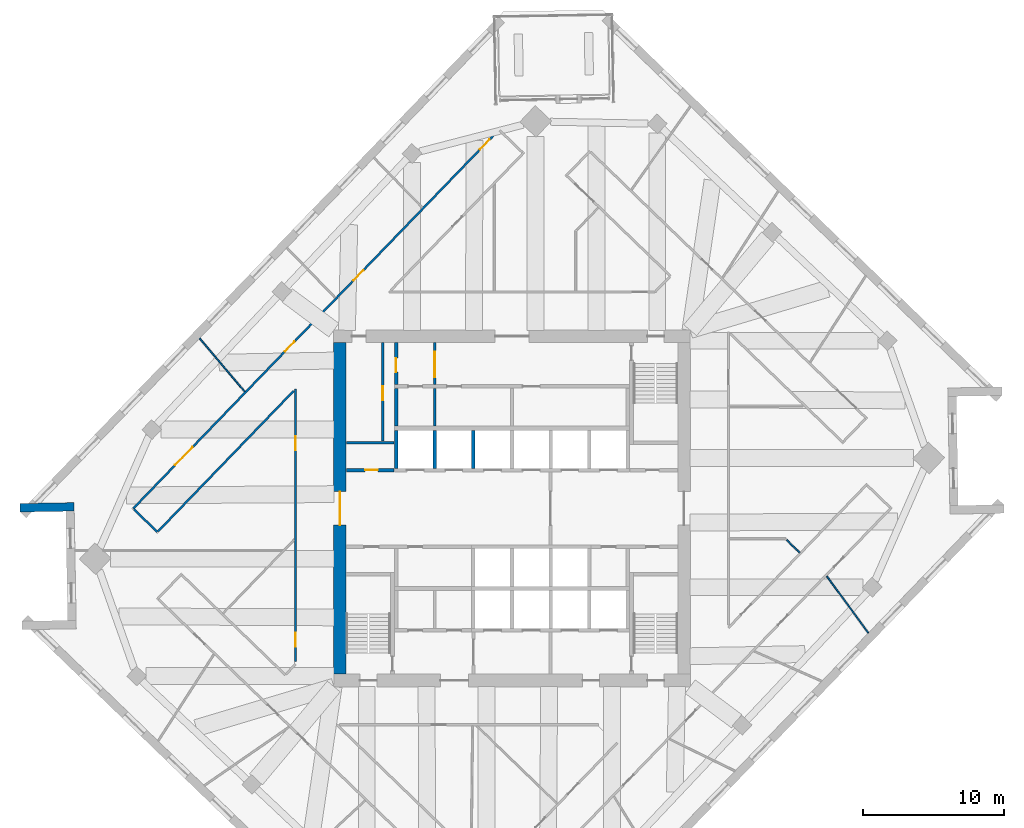
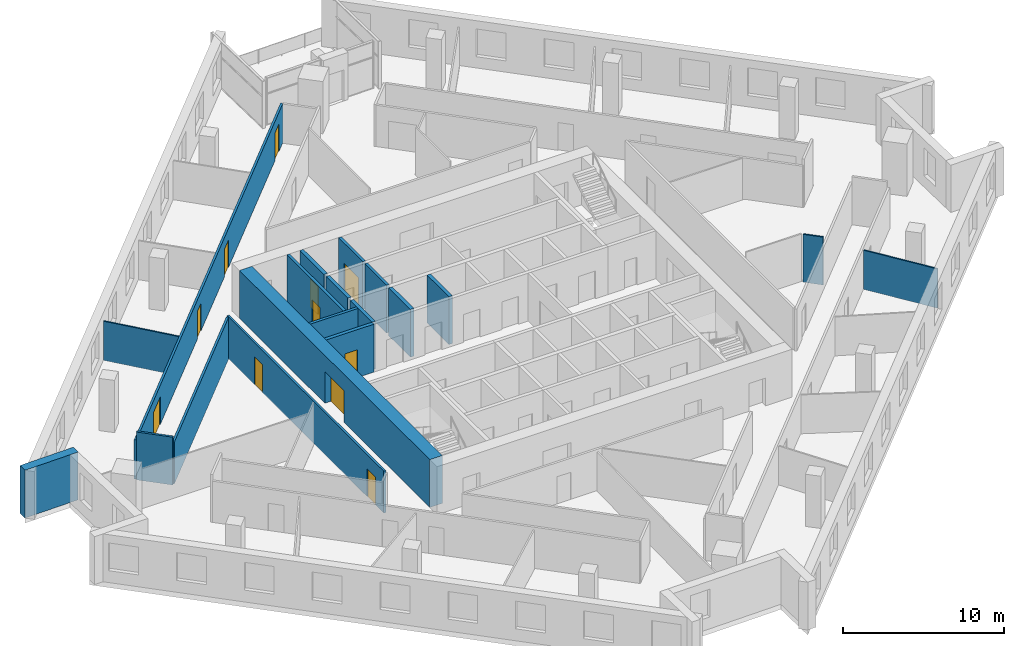
# One storey, part 8 of 13: 19 walls, 11 doors, 11 openings.
"""IFC4 building model written with IfcOpenShell, lengths in metres."""

from ifc_helpers import new_model, si_unit, direction, frame, frame_2d, origin, place, context, subcontext, project, spatial, rectangle, extrude, material, layer, layer_set, type_object, element, fill, save


model = new_model("IFC4")

# Units and contexts
model_context = context("Model", 3, precision=1e-05, world=origin(), true_north=direction((0.0, 1.0)))
body_context = subcontext(model_context, "Body", "Model", "MODEL_VIEW")
ifc_project = project(units=[si_unit("LENGTHUNIT", "METRE"), si_unit("AREAUNIT", "SQUARE_METRE"), si_unit("VOLUMEUNIT", "CUBIC_METRE"), si_unit("PLANEANGLEUNIT", "RADIAN"), si_unit("MASSUNIT", "GRAM", prefix="KILO")], contexts=[model_context])

# Site, building, storey
site_placement = place(None, origin())
site = spatial("IfcSite", under=ifc_project, at=site_placement, CompositionType="ELEMENT")
building_placement = place(site_placement, origin())
building = spatial("IfcBuilding", under=site, at=building_placement, Name="Dilmun Exchange Tower", CompositionType="ELEMENT")
storey_placement = place(building_placement, frame((0.0, 0.0, 205.300048828125)))
storey = spatial("IfcBuildingStorey", under=building, at=storey_placement, Name="L48", CompositionType="ELEMENT", Elevation=205.300048828125)

# Wall
ifc_material_1 = material(Name="Concrete C40/50", Category="concrete")
ifc_layer_1 = layer(ifc_material_1, 0.199951171875)
ifc_layer_set_1 = layer_set([ifc_layer_1], Name="Concrete C40/50")
wall_type_1 = type_object("IfcWallType", Name="Core partition wall 200", PredefinedType="PARTITIONING", material=ifc_layer_set_1)
wall_1_placement = place(storey_placement, frame((-11.794921875, 4.675048828125, 0.0), z_axis=(0.0, 0.0, 1.0), x_axis=(1.0, 0.0, 0.0)))
element("IfcWall", 1, at=wall_1_placement, inside=storey, type_object=wall_type_1, Name="L48 core partition wall 14", PredefinedType="PARTITIONING", context=body_context, shape_type="SweptSolid", body=[
    extrude(rectangle(XDim=3.4150390625, YDim=0.199951171875, at=frame_2d((1.70751953125, 0.0))), origin(), (0.0, 0.0, 1.0), 3.619873046875),
])

# Wall, opening, door
wall_2_placement = place(storey_placement, frame((-9.199951171875, 4.780029296875, 0.0), z_axis=(0.0, 0.0, 1.0), x_axis=(0.0, 1.0, 0.0)))
wall_2 = element("IfcWall", 2, at=wall_2_placement, inside=storey, type_object=wall_type_1, Name="L48 core partition wall 15", PredefinedType="PARTITIONING", context=body_context, shape_type="SweptSolid", body=[
    extrude(rectangle(XDim=7.014892578125, YDim=0.199951171875, at=frame_2d((3.50732421875, 0.0))), origin(), (0.0, 0.0, 1.0), 3.619873046875),
])
opening_1_placement = place(wall_2_placement, frame((2.919921875, 0.0, 0.0)))
opening_1 = element("IfcOpeningElement", 3, at=opening_1_placement, cuts=wall_2, Name="Opening CD4", PredefinedType="OPENING", context=body_context, shape_type="SweptSolid", body=[
    extrude(rectangle(XDim=1.0, YDim=2.10009765625, at=frame_2d((0.5, 1.050048828125))), frame((0.0, 0.10986328125, 0.0), z_axis=(0.0, -1.0, 0.0), x_axis=(1.0, 0.0, 0.0)), (0.0, 0.0, 1.0), 0.219970703125),
])
ifc_material_2 = material(Name="Fire-rated steel door set", Category="steel")
door_type_1 = type_object("IfcDoorType", Name="Core room door 1000x2100", OperationType="SINGLE_SWING_LEFT", PredefinedType="DOOR", material=ifc_material_2)
door_1_placement = place(opening_1_placement, origin())
door_1 = element("IfcDoor", 4, at=door_1_placement, inside=storey, type_object=door_type_1, Name="L48 door Fire safety store", OperationType="SINGLE_SWING_LEFT", OverallHeight=2.10009765625, OverallWidth=1.0, PredefinedType="DOOR", context=body_context, shape_type="SweptSolid", body=[
    extrude(rectangle(XDim=1.0, YDim=2.10009765625, at=frame_2d((0.5, 1.050048828125))), frame((0.0, 0.02490234375, 0.0), z_axis=(0.0, -1.0, 0.0), x_axis=(1.0, 0.0, 0.0)), (0.0, 0.0, 1.0), 0.050048828125),
])
fill(opening_1, door_1)

# Wall
wall_3_placement = place(storey_placement, frame((-5.5, 5.85498046875, 0.0), z_axis=(0.0, 0.0, 1.0), x_axis=(0.0, 1.0, 0.0)))
element("IfcWall", 5, at=wall_3_placement, inside=storey, type_object=wall_type_1, Name="L48 core partition wall 17", PredefinedType="PARTITIONING", context=body_context, shape_type="SweptSolid", body=[
    extrude(rectangle(XDim=2.68994140625, YDim=0.199951171875, at=frame_2d((1.344970703125, 0.0))), origin(), (0.0, 0.0, 1.0), 3.619873046875),
])

# Wall, opening, door
wall_4_placement = place(storey_placement, frame((-5.5, 8.804931640625, 0.0), z_axis=(0.0, 0.0, 1.0), x_axis=(0.0, 1.0, 0.0)))
wall_4 = element("IfcWall", 6, at=wall_4_placement, inside=storey, type_object=wall_type_1, Name="L48 core partition wall 22", PredefinedType="PARTITIONING", context=body_context, shape_type="SweptSolid", body=[
    extrude(rectangle(XDim=2.989990234375, YDim=0.199951171875, at=frame_2d((1.4951171875, 0.0))), origin(), (0.0, 0.0, 1.0), 3.619873046875),
])
opening_2_placement = place(wall_4_placement, frame((0.532470703125, 0.0, 0.0)))
opening_2 = element("IfcOpeningElement", 7, at=opening_2_placement, cuts=wall_4, Name="Opening CD5", PredefinedType="OPENING", context=body_context, shape_type="SweptSolid", body=[
    extrude(rectangle(XDim=1.800048828125, YDim=2.10009765625, at=frame_2d((0.89990234375, 1.050048828125))), frame((0.0, 0.10986328125, 0.0), z_axis=(0.0, -1.0, 0.0), x_axis=(1.0, 0.0, 0.0)), (0.0, 0.0, 1.0), 0.219970703125),
])
door_type_2 = type_object("IfcDoorType", Name="Stair exit door 1800x2100", OperationType="SINGLE_SWING_LEFT", PredefinedType="DOOR", material=ifc_material_2)
door_2_placement = place(opening_2_placement, origin())
door_2 = element("IfcDoor", 8, at=door_2_placement, inside=storey, type_object=door_type_2, Name="L48 door Core corridor east", OperationType="SINGLE_SWING_LEFT", OverallHeight=2.10009765625, OverallWidth=1.800048828125, PredefinedType="DOOR", context=body_context, shape_type="SweptSolid", body=[
    extrude(rectangle(XDim=1.800048828125, YDim=2.10009765625, at=frame_2d((0.89990234375, 1.050048828125))), frame((0.0, 0.02490234375, 0.0), z_axis=(0.0, -1.0, 0.0), x_axis=(1.0, 0.0, 0.0)), (0.0, 0.0, 1.0), 0.050048828125),
])
fill(opening_2, door_2)

ifc_layer_2 = layer(ifc_material_1, 0.25)
ifc_layer_set_2 = layer_set([ifc_layer_2], Name="Concrete C40/50")
wall_type_2 = type_object("IfcWallType", Name="Core partition wall 250", PredefinedType="PARTITIONING", material=ifc_layer_set_2)
wall_5_placement = place(storey_placement, frame((-11.794921875, 2.72509765625, 0.0), z_axis=(0.0, 0.0, 1.0), x_axis=(1.0, 0.0, 0.0)))
wall_5 = element("IfcWall", 9, at=wall_5_placement, inside=storey, type_object=wall_type_2, Name="L48 core partition wall 12", PredefinedType="PARTITIONING", context=body_context, shape_type="SweptSolid", body=[
    extrude(rectangle(XDim=3.4150390625, YDim=0.25, at=frame_2d((1.70751953125, 0.0))), origin(), (0.0, 0.0, 1.0), 3.619873046875),
])
opening_3_placement = place(wall_5_placement, frame((1.344970703125, 0.0, 0.0)))
opening_3 = element("IfcOpeningElement", 10, at=opening_3_placement, cuts=wall_5, Name="Opening CD6", PredefinedType="OPENING", context=body_context, shape_type="SweptSolid", body=[
    extrude(rectangle(XDim=0.89990234375, YDim=2.10009765625, at=frame_2d((0.449951171875, 1.050048828125))), frame((0.0, 0.135009765625, 0.0), z_axis=(0.0, -1.0, 0.0), x_axis=(1.0, 0.0, 0.0)), (0.0, 0.0, 1.0), 0.27001953125),
])
door_type_3 = type_object("IfcDoorType", Name="Core room door 900x2100", OperationType="SINGLE_SWING_LEFT", PredefinedType="DOOR", material=ifc_material_2)
door_3_placement = place(opening_3_placement, origin())
door_3 = element("IfcDoor", 11, at=door_3_placement, inside=storey, type_object=door_type_3, Name="L48 door Plumbing riser", OperationType="SINGLE_SWING_LEFT", OverallHeight=2.10009765625, OverallWidth=0.89990234375, PredefinedType="DOOR", context=body_context, shape_type="SweptSolid", body=[
    extrude(rectangle(XDim=0.89990234375, YDim=2.10009765625, at=frame_2d((0.449951171875, 1.050048828125))), frame((0.0, 0.02490234375, 0.0), z_axis=(0.0, -1.0, 0.0), x_axis=(1.0, 0.0, 0.0)), (0.0, 0.0, 1.0), 0.050048828125),
])
fill(opening_3, door_3)

# Wall
wall_6_placement = place(storey_placement, frame((-8.25, 5.85498046875, 0.0), z_axis=(0.0, 0.0, 1.0), x_axis=(0.0, 1.0, 0.0)))
element("IfcWall", 12, at=wall_6_placement, inside=storey, type_object=wall_type_2, Name="L48 core partition wall 16", PredefinedType="PARTITIONING", context=body_context, shape_type="SweptSolid", body=[
    extrude(rectangle(XDim=2.68994140625, YDim=0.25, at=frame_2d((1.344970703125, 0.0))), origin(), (0.0, 0.0, 1.0), 3.619873046875),
])

# Wall, opening, door
wall_7_placement = place(storey_placement, frame((-8.25, 8.804931640625, 0.0), z_axis=(0.0, 0.0, 1.0), x_axis=(0.0, 1.0, 0.0)))
wall_7 = element("IfcWall", 13, at=wall_7_placement, inside=storey, type_object=wall_type_2, Name="L48 core partition wall 21", PredefinedType="PARTITIONING", context=body_context, shape_type="SweptSolid", body=[
    extrude(rectangle(XDim=2.989990234375, YDim=0.25, at=frame_2d((1.4951171875, 0.0))), origin(), (0.0, 0.0, 1.0), 3.619873046875),
])
opening_4_placement = place(wall_7_placement, frame((0.89501953125, 0.0, 0.0)))
opening_4 = element("IfcOpeningElement", 14, at=opening_4_placement, cuts=wall_7, Name="Opening CD4", PredefinedType="OPENING", context=body_context, shape_type="SweptSolid", body=[
    extrude(rectangle(XDim=1.0, YDim=2.10009765625, at=frame_2d((0.5, 1.050048828125))), frame((0.0, 0.135009765625, 0.0), z_axis=(0.0, -1.0, 0.0), x_axis=(1.0, 0.0, 0.0)), (0.0, 0.0, 1.0), 0.27001953125),
])
door_4_placement = place(opening_4_placement, origin())
door_4 = element("IfcDoor", 15, at=door_4_placement, inside=storey, type_object=door_type_1, Name="L48 door Tenant services room", OperationType="SINGLE_SWING_LEFT", OverallHeight=2.10009765625, OverallWidth=1.0, PredefinedType="DOOR", context=body_context, shape_type="SweptSolid", body=[
    extrude(rectangle(XDim=1.0, YDim=2.10009765625, at=frame_2d((0.5, 1.050048828125))), frame((0.0, 0.02490234375, 0.0), z_axis=(0.0, -1.0, 0.0), x_axis=(1.0, 0.0, 0.0)), (0.0, 0.0, 1.0), 0.050048828125),
])
fill(opening_4, door_4)

ifc_material_3 = material(Name="Concrete C60/75", Category="concrete")
ifc_layer_3 = layer(ifc_material_3, 0.89990234375)
ifc_layer_set_3 = layer_set([ifc_layer_3], Name="Concrete C60/75")
wall_type_3 = type_object("IfcWallType", Name="Core shear wall 900 Concrete C60/75", PredefinedType="SHEAR", material=ifc_layer_set_3)
wall_8_placement = place(storey_placement, frame((-12.25, -11.800048828125, 0.0), z_axis=(0.0, 0.0, 1.0), x_axis=(0.0, 1.0, 0.0)))
wall_8 = element("IfcWall", 16, at=wall_8_placement, inside=storey, type_object=wall_type_3, Name="L48 core shear wall W", PredefinedType="SHEAR", context=body_context, shape_type="SweptSolid", body=[
    extrude(rectangle(XDim=23.60009765625, YDim=0.89990234375, at=frame_2d((11.800048828125, 0.0))), origin(), (0.0, 0.0, 1.0), 3.619873046875),
])
opening_5_placement = place(wall_8_placement, frame((10.60009765625, 0.0, 0.0)))
opening_5 = element("IfcOpeningElement", 17, at=opening_5_placement, cuts=wall_8, Name="Opening CD1", PredefinedType="OPENING", context=body_context, shape_type="SweptSolid", body=[
    extrude(rectangle(XDim=2.39990234375, YDim=2.39990234375, at=frame_2d((1.199951171875, 1.199951171875))), frame((0.0, 0.4599609375, 0.0), z_axis=(0.0, -1.0, 0.0), x_axis=(1.0, 0.0, 0.0)), (0.0, 0.0, 1.0), 0.919921875),
])
door_type_4 = type_object("IfcDoorType", Name="Core lobby door 2400x2400", OperationType="DOUBLE_DOOR_DOUBLE_SWING", PredefinedType="DOOR", material=ifc_material_2)
door_5_placement = place(opening_5_placement, origin())
door_5 = element("IfcDoor", 18, at=door_5_placement, inside=storey, type_object=door_type_4, Name="L48 door Central lift lobby", OperationType="SINGLE_SWING_LEFT", OverallHeight=2.39990234375, OverallWidth=2.39990234375, PredefinedType="DOOR", context=body_context, shape_type="SweptSolid", body=[
    extrude(rectangle(XDim=2.39990234375, YDim=2.39990234375, at=frame_2d((1.199951171875, 1.199951171875))), frame((0.0, 0.02490234375, 0.0), z_axis=(0.0, -1.0, 0.0), x_axis=(1.0, 0.0, 0.0)), (0.0, 0.0, 1.0), 0.050048828125),
])
fill(opening_5, door_5)

# Wall, openings, doors
ifc_material_4 = material(Name="Corridor wall 150")
ifc_layer_4 = layer(ifc_material_4, 0.14990234375)
ifc_layer_set_4 = layer_set([ifc_layer_4], Name="Corridor wall 150")
wall_type_4 = type_object("IfcWallType", Name="Corridor wall 150", PredefinedType="PARTITIONING", material=ifc_layer_set_4)
wall_9_placement = place(storey_placement, frame((-26.9599609375, -0.01611328125, 0.0), z_axis=(0.0, 0.0, 1.0), x_axis=(0.694654845656, 0.719343204184, 0.0)))
wall_9 = element("IfcWall", 19, at=wall_9_placement, inside=storey, type_object=wall_type_4, Name="Corridor wall", PredefinedType="PARTITIONING", context=body_context, shape_type="SweptSolid", body=[
    extrude(rectangle(XDim=37.47900390625, YDim=0.14990234375, at=frame_2d((18.739501953125, 0.0))), origin(), (0.0, 0.0, 1.0), 2.969970703125),
])
opening_6_placement = place(wall_9_placement, frame((4.300048828125, 0.0, 0.0)))
opening_6 = element("IfcOpeningElement", 20, at=opening_6_placement, cuts=wall_9, Name="Opening TF48-D02", PredefinedType="OPENING", context=body_context, shape_type="SweptSolid", body=[
    extrude(rectangle(XDim=1.800048828125, YDim=2.10009765625, at=frame_2d((0.89990234375, 1.050048828125))), frame((0.0, 0.0849609375, 0.0), z_axis=(0.0, -1.0, 0.0), x_axis=(1.0, 0.0, 0.0)), (0.0, 0.0, 1.0), 0.169921875),
])
opening_7_placement = place(wall_9_placement, frame((15.54736328125, 0.0, 0.0)))
opening_7 = element("IfcOpeningElement", 21, at=opening_7_placement, cuts=wall_9, Name="Opening TF48-D05", PredefinedType="OPENING", context=body_context, shape_type="SweptSolid", body=[
    extrude(rectangle(XDim=1.0, YDim=2.10009765625, at=frame_2d((0.5, 1.050048828125))), frame((0.0, 0.0849609375, 0.0), z_axis=(0.0, -1.0, 0.0), x_axis=(1.0, 0.0, 0.0)), (0.0, 0.0, 1.0), 0.169921875),
])
opening_8_placement = place(wall_9_placement, frame((22.580078125, 0.0, 0.0)))
opening_8 = element("IfcOpeningElement", 22, at=opening_8_placement, cuts=wall_9, Name="Opening TF48-D08", PredefinedType="OPENING", context=body_context, shape_type="SweptSolid", body=[
    extrude(rectangle(XDim=1.0, YDim=2.10009765625, at=frame_2d((0.5, 1.050048828125))), frame((0.0, 0.0849609375, 0.0), z_axis=(0.0, -1.0, 0.0), x_axis=(1.0, 0.0, 0.0)), (0.0, 0.0, 1.0), 0.169921875),
])
opening_9_placement = place(wall_9_placement, frame((35.50830078125, 0.0, 0.0)))
opening_9 = element("IfcOpeningElement", 23, at=opening_9_placement, cuts=wall_9, Name="Opening TF48-D12", PredefinedType="OPENING", context=body_context, shape_type="SweptSolid", body=[
    extrude(rectangle(XDim=1.0, YDim=2.10009765625, at=frame_2d((0.5, 1.050048828125))), frame((0.0, 0.0849609375, 0.0), z_axis=(0.0, -1.0, 0.0), x_axis=(1.0, 0.0, 0.0)), (0.0, 0.0, 1.0), 0.169921875),
])
ifc_material_5 = material(Name="Fire door 1000 x 2100")
door_type_5 = type_object("IfcDoorType", Name="Fire door 1000 x 2100", OperationType="NOTDEFINED", PredefinedType="DOOR", material=ifc_material_5)
door_6_placement = place(opening_7_placement, origin())
door_6 = element("IfcDoor", 24, at=door_6_placement, inside=storey, type_object=door_type_5, Name="Door TF48-D05", OperationType="SINGLE_SWING_LEFT", OverallHeight=2.10009765625, OverallWidth=1.0, PredefinedType="DOOR", context=body_context, shape_type="SweptSolid", body=[
    extrude(rectangle(XDim=1.0, YDim=2.10009765625, at=frame_2d((0.5, 1.050048828125))), frame((0.0, 0.02490234375, 0.0), z_axis=(0.0, -1.0, 0.0), x_axis=(1.0, 0.0, 0.0)), (0.0, 0.0, 1.0), 0.050048828125),
])
fill(opening_7, door_6)
door_7_placement = place(opening_8_placement, origin())
door_7 = element("IfcDoor", 25, at=door_7_placement, inside=storey, type_object=door_type_5, Name="Door TF48-D08", OperationType="SINGLE_SWING_RIGHT", OverallHeight=2.10009765625, OverallWidth=1.0, PredefinedType="DOOR", context=body_context, shape_type="SweptSolid", body=[
    extrude(rectangle(XDim=1.0, YDim=2.10009765625, at=frame_2d((0.5, 1.050048828125))), frame((0.0, 0.02490234375, 0.0), z_axis=(0.0, -1.0, 0.0), x_axis=(1.0, 0.0, 0.0)), (0.0, 0.0, 1.0), 0.050048828125),
])
fill(opening_8, door_7)
door_8_placement = place(opening_9_placement, origin())
door_8 = element("IfcDoor", 26, at=door_8_placement, inside=storey, type_object=door_type_5, Name="Door TF48-D12", OperationType="SINGLE_SWING_LEFT", OverallHeight=2.10009765625, OverallWidth=1.0, PredefinedType="DOOR", context=body_context, shape_type="SweptSolid", body=[
    extrude(rectangle(XDim=1.0, YDim=2.10009765625, at=frame_2d((0.5, 1.050048828125))), frame((0.0, 0.02490234375, 0.0), z_axis=(0.0, -1.0, 0.0), x_axis=(1.0, 0.0, 0.0)), (0.0, 0.0, 1.0), 0.050048828125),
])
fill(opening_9, door_8)
ifc_material_6 = material(Name="Fire door pair 1800 x 2100")
door_type_6 = type_object("IfcDoorType", Name="Fire door pair 1800 x 2100", OperationType="NOTDEFINED", PredefinedType="DOOR", material=ifc_material_6)
door_9_placement = place(opening_6_placement, origin())
door_9 = element("IfcDoor", 27, at=door_9_placement, inside=storey, type_object=door_type_6, Name="Door TF48-D02", OperationType="DOUBLE_DOOR_SINGLE_SWING", OverallHeight=2.10009765625, OverallWidth=1.800048828125, PredefinedType="DOOR", context=body_context, shape_type="SweptSolid", body=[
    extrude(rectangle(XDim=1.800048828125, YDim=2.10009765625, at=frame_2d((0.89990234375, 1.050048828125))), frame((0.0, 0.02490234375, 0.0), z_axis=(0.0, -1.0, 0.0), x_axis=(1.0, 0.0, 0.0)), (0.0, 0.0, 1.0), 0.050048828125),
])
fill(opening_6, door_9)

# Walls
wall_10_placement = place(storey_placement, frame((-26.906005859375, -0.068115234375, 0.0), z_axis=(0.0, 0.0, 1.0), x_axis=(0.719287446812, -0.694712580035, 0.0)))
element("IfcWall", 28, at=wall_10_placement, inside=storey, type_object=wall_type_4, Name="Corridor wall", PredefinedType="PARTITIONING", context=body_context, shape_type="SweptSolid", body=[
    extrude(rectangle(XDim=2.32470703125, YDim=0.14990234375, at=frame_2d((1.162353515625, 0.0))), origin(), (0.0, 0.0, 1.0), 3.619873046875),
])
wall_11_placement = place(storey_placement, frame((-25.181884765625, -1.62890625, 0.0), z_axis=(0.0, 0.0, 1.0), x_axis=(0.694683242855, 0.719315780514, 0.0)))
element("IfcWall", 29, at=wall_11_placement, inside=storey, type_object=wall_type_4, Name="Corridor wall", PredefinedType="PARTITIONING", context=body_context, shape_type="SweptSolid", body=[
    extrude(rectangle(XDim=13.895751953125, YDim=0.14990234375, at=frame_2d((6.94775390625, 0.0))), origin(), (0.0, 0.0, 1.0), 3.169921875),
])

# Wall, openings, doors
wall_12_placement = place(storey_placement, frame((-15.39990234375, -10.9033203125, 0.0), z_axis=(0.0, 0.0, 1.0), x_axis=(0.0, 1.0, 0.0)))
wall_12 = element("IfcWall", 30, at=wall_12_placement, inside=storey, type_object=wall_type_4, Name="Corridor wall", PredefinedType="PARTITIONING", context=body_context, shape_type="SweptSolid", body=[
    extrude(rectangle(XDim=19.4033203125, YDim=0.14990234375, at=frame_2d((9.70166015625, 0.0))), origin(), (0.0, 0.0, 1.0), 3.169921875),
])
opening_10_placement = place(wall_12_placement, frame((15.032470703125, 0.0, 0.0)))
opening_10 = element("IfcOpeningElement", 31, at=opening_10_placement, cuts=wall_12, Name="Opening TF48-D03", PredefinedType="OPENING", context=body_context, shape_type="SweptSolid", body=[
    extrude(rectangle(XDim=1.0, YDim=2.10009765625, at=frame_2d((0.5, 1.050048828125))), frame((0.0, 0.0849609375, 0.0), z_axis=(0.0, -1.0, 0.0), x_axis=(1.0, 0.0, 0.0)), (0.0, 0.0, 1.0), 0.169921875),
])
opening_11_placement = place(wall_12_placement, frame((1.050048828125, 0.0, 0.0)))
opening_11 = element("IfcOpeningElement", 32, at=opening_11_placement, cuts=wall_12, Name="Opening TF48-D06", PredefinedType="OPENING", context=body_context, shape_type="SweptSolid", body=[
    extrude(rectangle(XDim=1.0, YDim=2.10009765625, at=frame_2d((0.5, 1.050048828125))), frame((0.0, 0.0849609375, 0.0), z_axis=(0.0, -1.0, 0.0), x_axis=(1.0, 0.0, 0.0)), (0.0, 0.0, 1.0), 0.169921875),
])
door_10_placement = place(opening_10_placement, origin())
door_10 = element("IfcDoor", 33, at=door_10_placement, inside=storey, type_object=door_type_5, Name="Door TF48-D03", OperationType="SINGLE_SWING_RIGHT", OverallHeight=2.10009765625, OverallWidth=1.0, PredefinedType="DOOR", context=body_context, shape_type="SweptSolid", body=[
    extrude(rectangle(XDim=1.0, YDim=2.10009765625, at=frame_2d((0.5, 1.050048828125))), frame((0.0, 0.02490234375, 0.0), z_axis=(0.0, -1.0, 0.0), x_axis=(1.0, 0.0, 0.0)), (0.0, 0.0, 1.0), 0.050048828125),
])
fill(opening_10, door_10)
door_11_placement = place(opening_11_placement, origin())
door_11 = element("IfcDoor", 34, at=door_11_placement, inside=storey, type_object=door_type_5, Name="Door TF48-D06", OperationType="SINGLE_SWING_RIGHT", OverallHeight=2.10009765625, OverallWidth=1.0, PredefinedType="DOOR", context=body_context, shape_type="SweptSolid", body=[
    extrude(rectangle(XDim=1.0, YDim=2.10009765625, at=frame_2d((0.5, 1.050048828125))), frame((0.0, 0.02490234375, 0.0), z_axis=(0.0, -1.0, 0.0), x_axis=(1.0, 0.0, 0.0)), (0.0, 0.0, 1.0), 0.050048828125),
])
fill(opening_11, door_11)

# Walls
ifc_layer_5 = layer(ifc_material_1, 0.25)
ifc_layer_set_5 = layer_set([ifc_layer_5], Name="Concrete C40/50")
wall_type_5 = type_object("IfcWallType", Name="Lift shaft wall 250", PredefinedType="SOLIDWALL", material=ifc_layer_set_5)
for number, where, z_axis, x_axis, name in (
    (35, (-8.25, 2.85009765625, 0.0), (0.0, 0.0, 1.0), (0.0, 1.0, 0.0), "L48 lift shaft divider N10"),
    (36, (-5.5, 2.85009765625, 0.0), (0.0, 0.0, 1.0), (0.0, 1.0, 0.0), "L48 lift shaft divider N11"),
    (37, (-2.75, 2.85009765625, 0.0), (0.0, 0.0, 1.0), (0.0, 1.0, 0.0), "L48 lift shaft divider N12"),
):
    element("IfcWall", number, at=place(storey_placement, frame(where, z_axis=z_axis, x_axis=x_axis)), inside=storey, type_object=wall_type_5, Name=name, PredefinedType="SOLIDWALL", context=body_context, shape_type="SweptSolid", body=[
        extrude(rectangle(XDim=2.699951171875, YDim=0.25, at=frame_2d((1.35009765625, 0.0))), origin(), (0.0, 0.0, 1.0), 3.619873046875),
    ])
ifc_material_7 = material(Name="Partition 100")
ifc_layer_6 = layer(ifc_material_7, 0.10009765625)
ifc_layer_set_6 = layer_set([ifc_layer_6], Name="Partition 100")
wall_type_6 = type_object("IfcWallType", Name="Partition 100", PredefinedType="PARTITIONING", material=ifc_layer_set_6)
wall_13_placement = place(storey_placement, frame((-22.23291015625, 12.099609375, 0.0), z_axis=(0.0, 0.0, 1.0), x_axis=(0.646745011425, -0.762706293534, 0.0)))
element("IfcWall", 38, at=wall_13_placement, inside=storey, type_object=wall_type_6, Name="Partition", PredefinedType="PARTITIONING", context=body_context, shape_type="SweptSolid", body=[
    extrude(rectangle(XDim=4.960205078125, YDim=0.10009765625, at=frame_2d((2.47998046875, 0.0))), origin(), (0.0, 0.0, 1.0), 2.969970703125),
])
wall_14_placement = place(storey_placement, frame((19.54296875, -2.248046875, 0.0), z_axis=(0.0, 0.0, 1.0), x_axis=(0.719136791041, -0.694868531286, 0.0)))
element("IfcWall", 39, at=wall_14_placement, inside=storey, type_object=wall_type_6, Name="Partition", PredefinedType="PARTITIONING", context=body_context, shape_type="SweptSolid", body=[
    extrude(rectangle(XDim=1.28759765625, YDim=0.10009765625, at=frame_2d((0.643798828125, 0.0))), origin(), (0.0, 0.0, 1.0), 3.619873046875),
])
wall_15_placement = place(storey_placement, frame((22.404052734375, -4.822509765625, 0.0), z_axis=(0.0, 0.0, 1.0), x_axis=(0.590034932846, -0.80737771707, 0.0)))
element("IfcWall", 40, at=wall_15_placement, inside=storey, type_object=wall_type_6, Name="Partition", PredefinedType="PARTITIONING", context=body_context, shape_type="SweptSolid", body=[
    extrude(rectangle(XDim=5.00537109375, YDim=0.10009765625, at=frame_2d((2.502685546875, 0.0))), origin(), (0.0, 0.0, 1.0), 2.969970703125),
])
ifc_material_8 = material(Name="Precast concrete C50/60", Category="concrete")
ifc_layer_7 = layer(ifc_material_8, 0.60009765625)
ifc_layer_set_7 = layer_set([ifc_layer_7], Name="Precast concrete C50/60")
wall_type_7 = type_object("IfcWallType", Name="Precast stone-clad wall 600", PredefinedType="STANDARD", material=ifc_layer_set_7)
wall_16_placement = place(storey_placement, frame((-35.0078125, 0.04248046875, 0.0), z_axis=(0.0, 0.0, 1.0), x_axis=(0.999847642189, 0.017455440681, 0.0)))
element("IfcWall", 41, at=wall_16_placement, inside=storey, type_object=wall_type_7, Name="Facade wall L48-04", PredefinedType="STANDARD", context=body_context, shape_type="SweptSolid", body=[
    extrude(rectangle(XDim=3.84619140625, YDim=0.60009765625, at=frame_2d((1.923095703125, 0.0))), origin(), (0.0, 0.0, 1.0), 3.619873046875),
])

save(model, "model.ifc")
